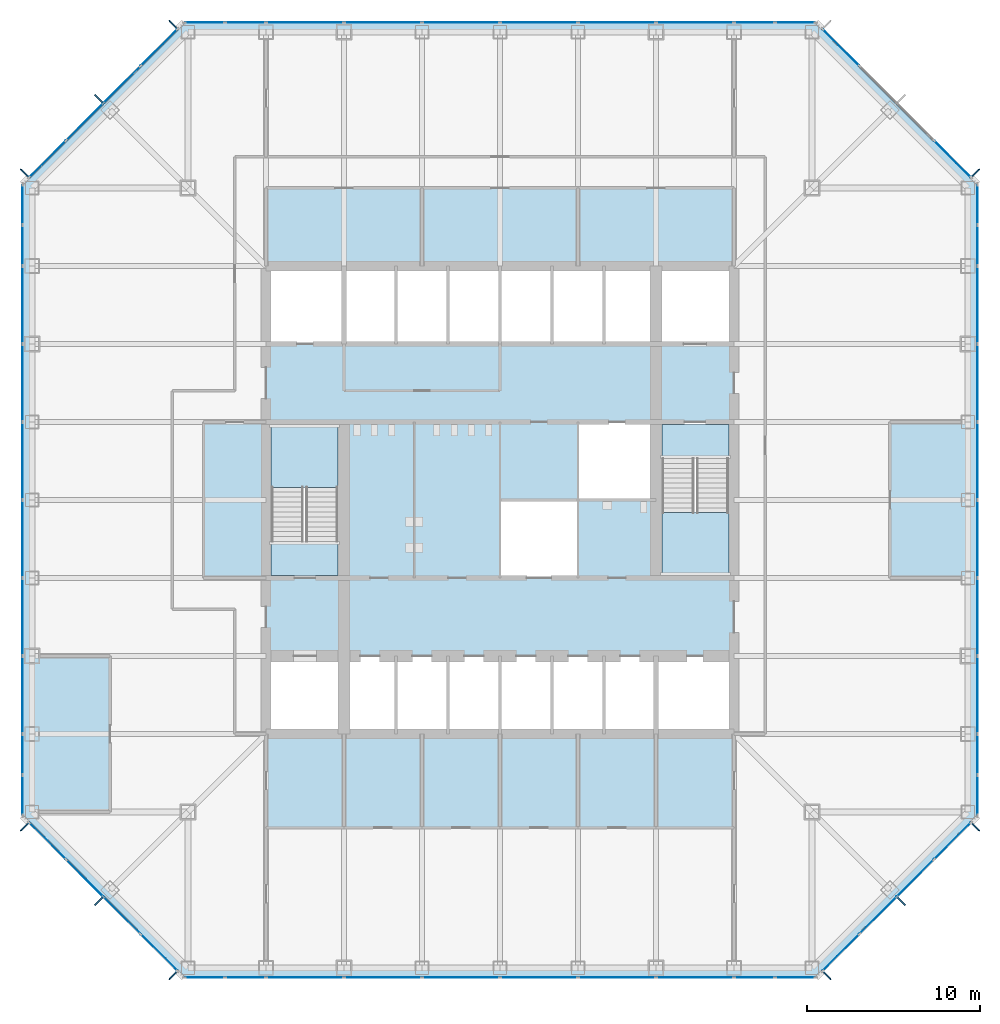
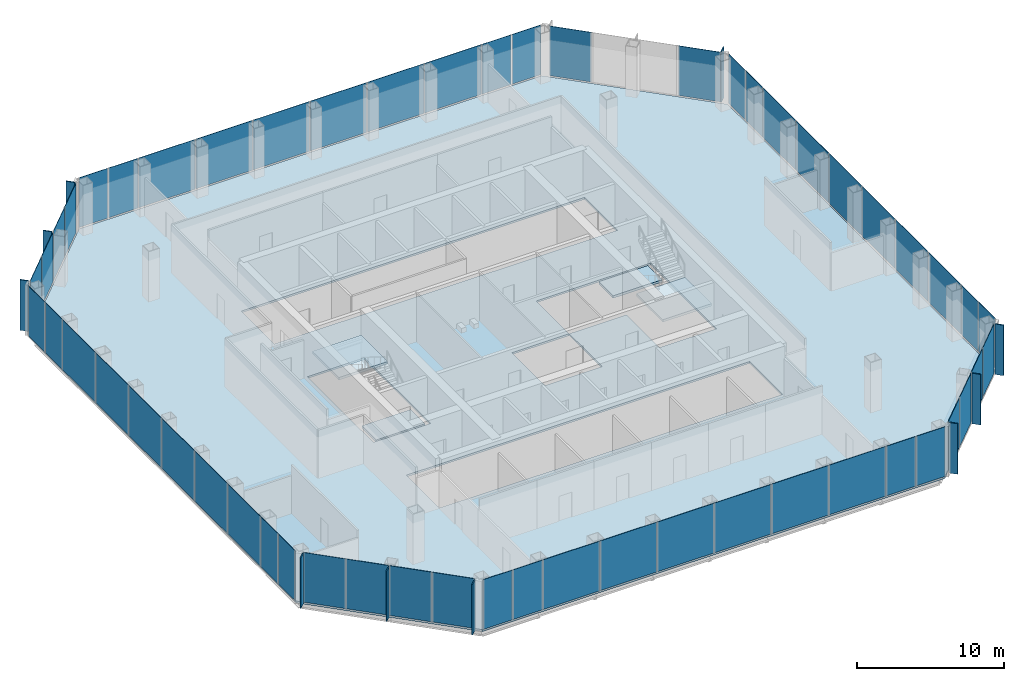
# One storey, part 7 of 12: 64 plates, 5 slabs, 10 elements without a shape of their own.
"""IFC4 building model written with IfcOpenShell, lengths in metres."""

from ifc_helpers import new_model, si_unit, direction, frame, origin, origin_2d, place, context, subcontext, project, spatial, polyline, rectangle, outline, extrude, material, layer, layer_set, type_object, element, aggregate, save


model = new_model("IFC4")

# Units and contexts
model_context = context("Model", 3, precision=1e-05, world=origin(), true_north=direction((0.0, 1.0)))
body_context = subcontext(model_context, "Body", "Model", "MODEL_VIEW")
ifc_project = project(units=[si_unit("LENGTHUNIT", "METRE"), si_unit("AREAUNIT", "SQUARE_METRE"), si_unit("VOLUMEUNIT", "CUBIC_METRE"), si_unit("PLANEANGLEUNIT", "RADIAN"), si_unit("MASSUNIT", "GRAM", prefix="KILO")], contexts=[model_context])

# Site, building, storey
site_placement = place(None, origin())
site = spatial("IfcSite", under=ifc_project, at=site_placement, CompositionType="ELEMENT")
building_placement = place(site_placement, origin())
building = spatial("IfcBuilding", under=site, at=building_placement, Name="Corais Broadcast Tower", CompositionType="ELEMENT")
storey_placement = place(building_placement, frame((0.0, 0.0, 58.39990234375)))
storey = spatial("IfcBuildingStorey", under=building, at=storey_placement, Name="L12", CompositionType="ELEMENT", Elevation=58.39990234375)

# Slab
ifc_material_1 = material(Name="Concrete C30/37", Category="concrete")
ifc_layer_1 = layer(ifc_material_1, 0.159912109375)
ifc_layer_set_1 = layer_set([ifc_layer_1], Name="Concrete C30/37")
slab_type_1 = type_object("IfcSlabType", Name="Composite floor slab 160", PredefinedType="FLOOR", material=ifc_layer_set_1)
slab_1_placement = place(storey_placement, frame((0.0, 0.0, -0.159912109375)))
element("IfcSlab", 1, at=slab_1_placement, inside=storey, type_object=slab_type_1, Name="S160 floor slab L12", PredefinedType="FLOOR", context=body_context, shape_type="SweptSolid", body=[
    extrude(outline(polyline([(8.80126953125, -0.47998046875), (-0.47998046875, 8.80126953125), (-0.47998046875, 45.19873046875), (8.80126953125, 54.47998046875), (45.19873046875, 54.47998046875), (54.47998046875, 45.19873046875), (54.47998046875, 8.80126953125), (45.19873046875, -0.47998046875), (8.80126953125, -0.47998046875)]), holes=[polyline([(13.5, 18.0), (40.5, 18.0), (40.5, 13.5), (13.5, 13.5), (13.5, 18.0)]), polyline([(13.5, 22.5), (13.5, 31.5), (18.0, 31.5), (18.0, 22.5), (13.5, 22.5)]), polyline([(13.5, 40.5), (40.5, 40.5), (40.5, 36.0), (13.5, 36.0), (13.5, 40.5)]), polyline([(27.0, 22.5), (27.0, 27.0), (31.4951171875, 27.0), (31.4951171875, 27.0048828125), (31.5, 27.0048828125), (31.5, 31.5), (40.5, 31.5), (40.5, 22.5), (36.0, 22.5), (36.0, 27.0), (31.5048828125, 27.0), (31.5048828125, 26.9951171875), (31.5, 26.9951171875), (31.5, 22.5), (27.0, 22.5)])]), origin(), (0.0, 0.0, 1.0), 0.159912109375),
])

# Curtain wall, plates
ifc_material_2 = material(Name="Aluminium and glass", Category="aluminium")
curtain_wall_type = type_object("IfcCurtainWallType", Name="Unitised fritted curtain wall CW1", PredefinedType="NOTDEFINED", material=ifc_material_2)
curtain_wall_1_placement = place(storey_placement, origin())
curtain_wall_1 = element("IfcCurtainWall", 2, at=curtain_wall_1_placement, inside=storey, type_object=curtain_wall_type, Name="CW1 curtain wall L12 1", PredefinedType="NOTDEFINED")
ifc_material_3 = material(Name="Ceramic-fritted laminated glass", Category="glass")
ifc_layer_2 = layer(ifc_material_3, 0.030029296875)
ifc_layer_set_2 = layer_set([ifc_layer_2], Name="Ceramic-fritted laminated glass")
plate_type_1 = type_object("IfcPlateType", Name="Fritted glass panel CW1", PredefinedType="CURTAIN_PANEL", material=ifc_layer_set_2)
plate_1_placement = place(storey_placement, frame((7.330322265625, 0.891845703125, 0.06494140625), z_axis=(0.0, 0.0, 1.0), x_axis=(-0.707106781187, 0.707106781187, 0.0)))
plate_1 = element("IfcPlate", 3, at=plate_1_placement, type_object=plate_type_1, Name="CW1 panel 1", PredefinedType="CURTAIN_PANEL", context=body_context, shape_type="SweptSolid", body=[
    extrude(rectangle(XDim=2.9482421875, YDim=0.030029296875, at=origin_2d()), origin(), (0.0, 0.0, 1.0), 4.135009765625),
])
plate_2_placement = place(storey_placement, frame((3.0341796875, 5.18798828125, 0.06494140625), z_axis=(0.0, 0.0, 1.0), x_axis=(-0.707106781187, 0.707106781187, 0.0)))
plate_2 = element("IfcPlate", 4, at=plate_2_placement, type_object=plate_type_1, Name="CW1 panel 3", PredefinedType="CURTAIN_PANEL", context=body_context, shape_type="SweptSolid", body=[
    extrude(rectangle(XDim=2.98095703125, YDim=0.030029296875, at=origin_2d()), origin(), (0.0, 0.0, 1.0), 4.135009765625),
])

curtain_wall_2_placement = place(storey_placement, origin())
curtain_wall_2 = element("IfcCurtainWall", 5, at=curtain_wall_2_placement, inside=storey, type_object=curtain_wall_type, Name="CW1 curtain wall L12 2", PredefinedType="NOTDEFINED")
plate_3_placement = place(storey_placement, frame((-0.550048828125, 9.970458984375, 0.06494140625), z_axis=(0.0, 0.0, 1.0), x_axis=(0.0, 1.0, 0.0)))
plate_3 = element("IfcPlate", 6, at=plate_3_placement, type_object=plate_type_1, Name="CW1 panel 1", PredefinedType="CURTAIN_PANEL", context=body_context, shape_type="SweptSolid", body=[
    extrude(rectangle(XDim=2.266357421875, YDim=0.030029296875, at=origin_2d()), origin(), (0.0, 0.0, 1.0), 4.135009765625),
])
plate_4_placement = place(storey_placement, frame((-0.550048828125, 15.75, 0.06494140625), z_axis=(0.0, 0.0, 1.0), x_axis=(0.0, 1.0, 0.0)))
plate_4 = element("IfcPlate", 7, at=plate_4_placement, type_object=plate_type_1, Name="CW1 panel 3", PredefinedType="CURTAIN_PANEL", context=body_context, shape_type="SweptSolid", body=[
    extrude(rectangle(XDim=4.43505859375, YDim=0.030029296875, at=origin_2d()), origin(), (0.0, 0.0, 1.0), 4.135009765625),
])
plate_5_placement = place(storey_placement, frame((-0.550048828125, 24.75, 0.06494140625), z_axis=(0.0, 0.0, 1.0), x_axis=(0.0, 1.0, 0.0)))
plate_5 = element("IfcPlate", 8, at=plate_5_placement, type_object=plate_type_1, Name="CW1 panel 5", PredefinedType="CURTAIN_PANEL", context=body_context, shape_type="SweptSolid", body=[
    extrude(rectangle(XDim=4.43505859375, YDim=0.030029296875, at=origin_2d()), origin(), (0.0, 0.0, 1.0), 4.135009765625),
])
plate_6_placement = place(storey_placement, frame((-0.550048828125, 33.75, 0.06494140625), z_axis=(0.0, 0.0, 1.0), x_axis=(0.0, 1.0, 0.0)))
plate_6 = element("IfcPlate", 9, at=plate_6_placement, type_object=plate_type_1, Name="CW1 panel 7", PredefinedType="CURTAIN_PANEL", context=body_context, shape_type="SweptSolid", body=[
    extrude(rectangle(XDim=4.43505859375, YDim=0.030029296875, at=origin_2d()), origin(), (0.0, 0.0, 1.0), 4.135009765625),
])
plate_7_placement = place(storey_placement, frame((-0.550048828125, 41.681884765625, 0.06494140625), z_axis=(0.0, 0.0, 1.0), x_axis=(0.0, 1.0, 0.0)))
plate_7 = element("IfcPlate", 10, at=plate_7_placement, type_object=plate_type_1, Name="CW1 panel 9", PredefinedType="CURTAIN_PANEL", context=body_context, shape_type="SweptSolid", body=[
    extrude(rectangle(XDim=2.298828125, YDim=0.030029296875, at=origin_2d()), origin(), (0.0, 0.0, 1.0), 4.135009765625),
])

curtain_wall_3_placement = place(storey_placement, origin())
curtain_wall_3 = element("IfcCurtainWall", 11, at=curtain_wall_3_placement, inside=storey, type_object=curtain_wall_type, Name="CW1 curtain wall L12 3", PredefinedType="NOTDEFINED")
plate_8_placement = place(storey_placement, frame((0.891845703125, 46.669677734375, 0.06494140625), z_axis=(0.0, 0.0, 1.0), x_axis=(0.707106781187, 0.707106781187, 0.0)))
plate_8 = element("IfcPlate", 12, at=plate_8_placement, type_object=plate_type_1, Name="CW1 panel 1", PredefinedType="CURTAIN_PANEL", context=body_context, shape_type="SweptSolid", body=[
    extrude(rectangle(XDim=2.9482421875, YDim=0.030029296875, at=origin_2d()), origin(), (0.0, 0.0, 1.0), 4.135009765625),
])
plate_9_placement = place(storey_placement, frame((5.18798828125, 50.9658203125, 0.06494140625), z_axis=(0.0, 0.0, 1.0), x_axis=(0.707106781187, 0.707106781187, 0.0)))
plate_9 = element("IfcPlate", 13, at=plate_9_placement, type_object=plate_type_1, Name="CW1 panel 3", PredefinedType="CURTAIN_PANEL", context=body_context, shape_type="SweptSolid", body=[
    extrude(rectangle(XDim=2.98095703125, YDim=0.030029296875, at=origin_2d()), origin(), (0.0, 0.0, 1.0), 4.135009765625),
])

curtain_wall_4_placement = place(storey_placement, origin())
curtain_wall_4 = element("IfcCurtainWall", 14, at=curtain_wall_4_placement, inside=storey, type_object=curtain_wall_type, Name="CW1 curtain wall L12 4", PredefinedType="NOTDEFINED")
plate_10_placement = place(storey_placement, frame((9.970458984375, 54.550048828125, 0.06494140625), z_axis=(0.0, 0.0, 1.0), x_axis=(1.0, 0.0, 0.0)))
plate_10 = element("IfcPlate", 15, at=plate_10_placement, type_object=plate_type_1, Name="CW1 panel 1", PredefinedType="CURTAIN_PANEL", context=body_context, shape_type="SweptSolid", body=[
    extrude(rectangle(XDim=2.266357421875, YDim=0.030029296875, at=origin_2d()), origin(), (0.0, 0.0, 1.0), 4.135009765625),
])
plate_11_placement = place(storey_placement, frame((15.75, 54.550048828125, 0.06494140625), z_axis=(0.0, 0.0, 1.0), x_axis=(1.0, 0.0, 0.0)))
plate_11 = element("IfcPlate", 16, at=plate_11_placement, type_object=plate_type_1, Name="CW1 panel 3", PredefinedType="CURTAIN_PANEL", context=body_context, shape_type="SweptSolid", body=[
    extrude(rectangle(XDim=4.43505859375, YDim=0.030029296875, at=origin_2d()), origin(), (0.0, 0.0, 1.0), 4.135009765625),
])
plate_12_placement = place(storey_placement, frame((24.75, 54.550048828125, 0.06494140625), z_axis=(0.0, 0.0, 1.0), x_axis=(1.0, 0.0, 0.0)))
plate_12 = element("IfcPlate", 17, at=plate_12_placement, type_object=plate_type_1, Name="CW1 panel 5", PredefinedType="CURTAIN_PANEL", context=body_context, shape_type="SweptSolid", body=[
    extrude(rectangle(XDim=4.43505859375, YDim=0.030029296875, at=origin_2d()), origin(), (0.0, 0.0, 1.0), 4.135009765625),
])
plate_13_placement = place(storey_placement, frame((33.75, 54.550048828125, 0.06494140625), z_axis=(0.0, 0.0, 1.0), x_axis=(1.0, 0.0, 0.0)))
plate_13 = element("IfcPlate", 18, at=plate_13_placement, type_object=plate_type_1, Name="CW1 panel 7", PredefinedType="CURTAIN_PANEL", context=body_context, shape_type="SweptSolid", body=[
    extrude(rectangle(XDim=4.43505859375, YDim=0.030029296875, at=origin_2d()), origin(), (0.0, 0.0, 1.0), 4.135009765625),
])
plate_14_placement = place(storey_placement, frame((41.681884765625, 54.550048828125, 0.06494140625), z_axis=(0.0, 0.0, 1.0), x_axis=(1.0, 0.0, 0.0)))
plate_14 = element("IfcPlate", 19, at=plate_14_placement, type_object=plate_type_1, Name="CW1 panel 9", PredefinedType="CURTAIN_PANEL", context=body_context, shape_type="SweptSolid", body=[
    extrude(rectangle(XDim=2.298828125, YDim=0.030029296875, at=origin_2d()), origin(), (0.0, 0.0, 1.0), 4.135009765625),
])

# Curtain wall, plate
curtain_wall_5_placement = place(storey_placement, origin())
curtain_wall_5 = element("IfcCurtainWall", 20, at=curtain_wall_5_placement, inside=storey, type_object=curtain_wall_type, Name="CW1 curtain wall L12 5", PredefinedType="NOTDEFINED")
plate_15_placement = place(storey_placement, frame((46.669677734375, 53.108154296875, 0.06494140625), z_axis=(0.0, 0.0, 1.0), x_axis=(0.707106781187, -0.707106781187, 0.0)))
plate_15 = element("IfcPlate", 21, at=plate_15_placement, type_object=plate_type_1, Name="CW1 panel 1", PredefinedType="CURTAIN_PANEL", context=body_context, shape_type="SweptSolid", body=[
    extrude(rectangle(XDim=2.9482421875, YDim=0.030029296875, at=origin_2d()), origin(), (0.0, 0.0, 1.0), 4.135009765625),
])

# Curtain wall, plates
curtain_wall_6_placement = place(storey_placement, origin())
curtain_wall_6 = element("IfcCurtainWall", 22, at=curtain_wall_6_placement, inside=storey, type_object=curtain_wall_type, Name="CW1 curtain wall L12 6", PredefinedType="NOTDEFINED")
plate_16_placement = place(storey_placement, frame((54.550048828125, 44.029541015625, 0.06494140625), z_axis=(0.0, 0.0, 1.0), x_axis=(0.0, -1.0, 0.0)))
plate_16 = element("IfcPlate", 23, at=plate_16_placement, type_object=plate_type_1, Name="CW1 panel 1", PredefinedType="CURTAIN_PANEL", context=body_context, shape_type="SweptSolid", body=[
    extrude(rectangle(XDim=2.266357421875, YDim=0.030029296875, at=origin_2d()), origin(), (0.0, 0.0, 1.0), 4.135009765625),
])
plate_17_placement = place(storey_placement, frame((54.550048828125, 38.25, 0.06494140625), z_axis=(0.0, 0.0, 1.0), x_axis=(0.0, -1.0, 0.0)))
plate_17 = element("IfcPlate", 24, at=plate_17_placement, type_object=plate_type_1, Name="CW1 panel 3", PredefinedType="CURTAIN_PANEL", context=body_context, shape_type="SweptSolid", body=[
    extrude(rectangle(XDim=4.43505859375, YDim=0.030029296875, at=origin_2d()), origin(), (0.0, 0.0, 1.0), 4.135009765625),
])
plate_18_placement = place(storey_placement, frame((54.550048828125, 29.25, 0.06494140625), z_axis=(0.0, 0.0, 1.0), x_axis=(0.0, -1.0, 0.0)))
plate_18 = element("IfcPlate", 25, at=plate_18_placement, type_object=plate_type_1, Name="CW1 panel 5", PredefinedType="CURTAIN_PANEL", context=body_context, shape_type="SweptSolid", body=[
    extrude(rectangle(XDim=4.43505859375, YDim=0.030029296875, at=origin_2d()), origin(), (0.0, 0.0, 1.0), 4.135009765625),
])
plate_19_placement = place(storey_placement, frame((54.550048828125, 20.25, 0.06494140625), z_axis=(0.0, 0.0, 1.0), x_axis=(0.0, -1.0, 0.0)))
plate_19 = element("IfcPlate", 26, at=plate_19_placement, type_object=plate_type_1, Name="CW1 panel 7", PredefinedType="CURTAIN_PANEL", context=body_context, shape_type="SweptSolid", body=[
    extrude(rectangle(XDim=4.43505859375, YDim=0.030029296875, at=origin_2d()), origin(), (0.0, 0.0, 1.0), 4.135009765625),
])
plate_20_placement = place(storey_placement, frame((54.550048828125, 12.318115234375, 0.06494140625), z_axis=(0.0, 0.0, 1.0), x_axis=(0.0, -1.0, 0.0)))
plate_20 = element("IfcPlate", 27, at=plate_20_placement, type_object=plate_type_1, Name="CW1 panel 9", PredefinedType="CURTAIN_PANEL", context=body_context, shape_type="SweptSolid", body=[
    extrude(rectangle(XDim=2.298828125, YDim=0.030029296875, at=origin_2d()), origin(), (0.0, 0.0, 1.0), 4.135009765625),
])

curtain_wall_7_placement = place(storey_placement, origin())
curtain_wall_7 = element("IfcCurtainWall", 28, at=curtain_wall_7_placement, inside=storey, type_object=curtain_wall_type, Name="CW1 curtain wall L12 7", PredefinedType="NOTDEFINED")
plate_21_placement = place(storey_placement, frame((53.108154296875, 7.330322265625, 0.06494140625), z_axis=(0.0, 0.0, 1.0), x_axis=(-0.707106781187, -0.707106781187, 0.0)))
plate_21 = element("IfcPlate", 29, at=plate_21_placement, type_object=plate_type_1, Name="CW1 panel 1", PredefinedType="CURTAIN_PANEL", context=body_context, shape_type="SweptSolid", body=[
    extrude(rectangle(XDim=2.9482421875, YDim=0.030029296875, at=origin_2d()), origin(), (0.0, 0.0, 1.0), 4.135009765625),
])
plate_22_placement = place(storey_placement, frame((48.81201171875, 3.0341796875, 0.06494140625), z_axis=(0.0, 0.0, 1.0), x_axis=(-0.707106781187, -0.707106781187, 0.0)))
plate_22 = element("IfcPlate", 30, at=plate_22_placement, type_object=plate_type_1, Name="CW1 panel 3", PredefinedType="CURTAIN_PANEL", context=body_context, shape_type="SweptSolid", body=[
    extrude(rectangle(XDim=2.98095703125, YDim=0.030029296875, at=origin_2d()), origin(), (0.0, 0.0, 1.0), 4.135009765625),
])

curtain_wall_8_placement = place(storey_placement, origin())
curtain_wall_8 = element("IfcCurtainWall", 31, at=curtain_wall_8_placement, inside=storey, type_object=curtain_wall_type, Name="CW1 curtain wall L12 8", PredefinedType="NOTDEFINED")
plate_23_placement = place(storey_placement, frame((44.029541015625, -0.550048828125, 0.06494140625), z_axis=(0.0, 0.0, 1.0), x_axis=(-1.0, 0.0, 0.0)))
plate_23 = element("IfcPlate", 32, at=plate_23_placement, type_object=plate_type_1, Name="CW1 panel 1", PredefinedType="CURTAIN_PANEL", context=body_context, shape_type="SweptSolid", body=[
    extrude(rectangle(XDim=2.266357421875, YDim=0.030029296875, at=origin_2d()), origin(), (0.0, 0.0, 1.0), 4.135009765625),
])
plate_24_placement = place(storey_placement, frame((38.25, -0.550048828125, 0.06494140625), z_axis=(0.0, 0.0, 1.0), x_axis=(-1.0, 0.0, 0.0)))
plate_24 = element("IfcPlate", 33, at=plate_24_placement, type_object=plate_type_1, Name="CW1 panel 3", PredefinedType="CURTAIN_PANEL", context=body_context, shape_type="SweptSolid", body=[
    extrude(rectangle(XDim=4.43505859375, YDim=0.030029296875, at=origin_2d()), origin(), (0.0, 0.0, 1.0), 4.135009765625),
])
plate_25_placement = place(storey_placement, frame((29.25, -0.550048828125, 0.06494140625), z_axis=(0.0, 0.0, 1.0), x_axis=(-1.0, 0.0, 0.0)))
plate_25 = element("IfcPlate", 34, at=plate_25_placement, type_object=plate_type_1, Name="CW1 panel 5", PredefinedType="CURTAIN_PANEL", context=body_context, shape_type="SweptSolid", body=[
    extrude(rectangle(XDim=4.43505859375, YDim=0.030029296875, at=origin_2d()), origin(), (0.0, 0.0, 1.0), 4.135009765625),
])
plate_26_placement = place(storey_placement, frame((20.25, -0.550048828125, 0.06494140625), z_axis=(0.0, 0.0, 1.0), x_axis=(-1.0, 0.0, 0.0)))
plate_26 = element("IfcPlate", 35, at=plate_26_placement, type_object=plate_type_1, Name="CW1 panel 7", PredefinedType="CURTAIN_PANEL", context=body_context, shape_type="SweptSolid", body=[
    extrude(rectangle(XDim=4.43505859375, YDim=0.030029296875, at=origin_2d()), origin(), (0.0, 0.0, 1.0), 4.135009765625),
])
plate_27_placement = place(storey_placement, frame((12.318115234375, -0.550048828125, 0.06494140625), z_axis=(0.0, 0.0, 1.0), x_axis=(-1.0, 0.0, 0.0)))
plate_27 = element("IfcPlate", 36, at=plate_27_placement, type_object=plate_type_1, Name="CW1 panel 9", PredefinedType="CURTAIN_PANEL", context=body_context, shape_type="SweptSolid", body=[
    extrude(rectangle(XDim=2.298828125, YDim=0.030029296875, at=origin_2d()), origin(), (0.0, 0.0, 1.0), 4.135009765625),
])

# Plate
ifc_material_4 = material(Name="Clear laminated glass", Category="glass")
ifc_layer_3 = layer(ifc_material_4, 0.033935546875)
ifc_layer_set_3 = layer_set([ifc_layer_3], Name="Clear laminated glass")
plate_type_2 = type_object("IfcPlateType", Name="Operable glass panel CW1", PredefinedType="CURTAIN_PANEL", material=ifc_layer_set_3)
plate_28_placement = place(storey_placement, frame((5.18798828125, 3.0341796875, 0.06494140625), z_axis=(0.0, 0.0, 1.0), x_axis=(-0.707106781187, 0.707106781187, 0.0)))
plate_28 = element("IfcPlate", 37, at=plate_28_placement, type_object=plate_type_2, Name="CW1 operable panel 2", PredefinedType="CURTAIN_PANEL", context=body_context, shape_type="SweptSolid", body=[
    extrude(rectangle(XDim=2.98095703125, YDim=0.033935546875, at=origin_2d()), origin(), (0.0, 0.0, 1.0), 4.135009765625),
])

plate_29_placement = place(storey_placement, frame((0.89208984375, 7.330322265625, 0.06494140625), z_axis=(0.0, 0.0, 1.0), x_axis=(-0.707106781187, 0.707106781187, 0.0)))
plate_29 = element("IfcPlate", 38, at=plate_29_placement, type_object=plate_type_2, Name="CW1 operable panel 4", PredefinedType="CURTAIN_PANEL", context=body_context, shape_type="SweptSolid", body=[
    extrude(rectangle(XDim=2.948486328125, YDim=0.033935546875, at=origin_2d()), origin(), (0.0, 0.0, 1.0), 4.135009765625),
])

aggregate(curtain_wall_1, [plate_1, plate_28, plate_2, plate_29])

plate_30_placement = place(storey_placement, frame((-0.550048828125, 12.318115234375, 0.06494140625), z_axis=(0.0, 0.0, 1.0), x_axis=(0.0, 1.0, 0.0)))
plate_30 = element("IfcPlate", 39, at=plate_30_placement, type_object=plate_type_2, Name="CW1 operable panel 2", PredefinedType="CURTAIN_PANEL", context=body_context, shape_type="SweptSolid", body=[
    extrude(rectangle(XDim=2.298828125, YDim=0.033935546875, at=origin_2d()), origin(), (0.0, 0.0, 1.0), 4.135009765625),
])

plate_31_placement = place(storey_placement, frame((-0.550048828125, 20.25, 0.06494140625), z_axis=(0.0, 0.0, 1.0), x_axis=(0.0, 1.0, 0.0)))
plate_31 = element("IfcPlate", 40, at=plate_31_placement, type_object=plate_type_2, Name="CW1 operable panel 4", PredefinedType="CURTAIN_PANEL", context=body_context, shape_type="SweptSolid", body=[
    extrude(rectangle(XDim=4.43505859375, YDim=0.033935546875, at=origin_2d()), origin(), (0.0, 0.0, 1.0), 4.135009765625),
])

plate_32_placement = place(storey_placement, frame((-0.550048828125, 29.25, 0.06494140625), z_axis=(0.0, 0.0, 1.0), x_axis=(0.0, 1.0, 0.0)))
plate_32 = element("IfcPlate", 41, at=plate_32_placement, type_object=plate_type_2, Name="CW1 operable panel 6", PredefinedType="CURTAIN_PANEL", context=body_context, shape_type="SweptSolid", body=[
    extrude(rectangle(XDim=4.43505859375, YDim=0.033935546875, at=origin_2d()), origin(), (0.0, 0.0, 1.0), 4.135009765625),
])

plate_33_placement = place(storey_placement, frame((-0.550048828125, 38.25, 0.06494140625), z_axis=(0.0, 0.0, 1.0), x_axis=(0.0, 1.0, 0.0)))
plate_33 = element("IfcPlate", 42, at=plate_33_placement, type_object=plate_type_2, Name="CW1 operable panel 8", PredefinedType="CURTAIN_PANEL", context=body_context, shape_type="SweptSolid", body=[
    extrude(rectangle(XDim=4.43505859375, YDim=0.033935546875, at=origin_2d()), origin(), (0.0, 0.0, 1.0), 4.135009765625),
])

plate_34_placement = place(storey_placement, frame((-0.550048828125, 44.029541015625, 0.06494140625), z_axis=(0.0, 0.0, 1.0), x_axis=(0.0, 1.0, 0.0)))
plate_34 = element("IfcPlate", 43, at=plate_34_placement, type_object=plate_type_2, Name="CW1 operable panel 10", PredefinedType="CURTAIN_PANEL", context=body_context, shape_type="SweptSolid", body=[
    extrude(rectangle(XDim=2.266357421875, YDim=0.033935546875, at=origin_2d()), origin(), (0.0, 0.0, 1.0), 4.135009765625),
])

aggregate(curtain_wall_2, [plate_3, plate_30, plate_4, plate_31, plate_5, plate_32, plate_6, plate_33, plate_7, plate_34])

plate_35_placement = place(storey_placement, frame((3.0341796875, 48.81201171875, 0.06494140625), z_axis=(0.0, 0.0, 1.0), x_axis=(0.707106781187, 0.707106781187, 0.0)))
plate_35 = element("IfcPlate", 44, at=plate_35_placement, type_object=plate_type_2, Name="CW1 operable panel 2", PredefinedType="CURTAIN_PANEL", context=body_context, shape_type="SweptSolid", body=[
    extrude(rectangle(XDim=2.98095703125, YDim=0.033935546875, at=origin_2d()), origin(), (0.0, 0.0, 1.0), 4.135009765625),
])

plate_36_placement = place(storey_placement, frame((7.330322265625, 53.10791015625, 0.06494140625), z_axis=(0.0, 0.0, 1.0), x_axis=(0.707106781187, 0.707106781187, 0.0)))
plate_36 = element("IfcPlate", 45, at=plate_36_placement, type_object=plate_type_2, Name="CW1 operable panel 4", PredefinedType="CURTAIN_PANEL", context=body_context, shape_type="SweptSolid", body=[
    extrude(rectangle(XDim=2.948486328125, YDim=0.033935546875, at=origin_2d()), origin(), (0.0, 0.0, 1.0), 4.135009765625),
])

aggregate(curtain_wall_3, [plate_8, plate_35, plate_9, plate_36])

plate_37_placement = place(storey_placement, frame((12.318115234375, 54.550048828125, 0.06494140625), z_axis=(0.0, 0.0, 1.0), x_axis=(1.0, 0.0, 0.0)))
plate_37 = element("IfcPlate", 46, at=plate_37_placement, type_object=plate_type_2, Name="CW1 operable panel 2", PredefinedType="CURTAIN_PANEL", context=body_context, shape_type="SweptSolid", body=[
    extrude(rectangle(XDim=2.298828125, YDim=0.033935546875, at=origin_2d()), origin(), (0.0, 0.0, 1.0), 4.135009765625),
])

plate_38_placement = place(storey_placement, frame((20.25, 54.550048828125, 0.06494140625), z_axis=(0.0, 0.0, 1.0), x_axis=(1.0, 0.0, 0.0)))
plate_38 = element("IfcPlate", 47, at=plate_38_placement, type_object=plate_type_2, Name="CW1 operable panel 4", PredefinedType="CURTAIN_PANEL", context=body_context, shape_type="SweptSolid", body=[
    extrude(rectangle(XDim=4.43505859375, YDim=0.033935546875, at=origin_2d()), origin(), (0.0, 0.0, 1.0), 4.135009765625),
])

plate_39_placement = place(storey_placement, frame((29.25, 54.550048828125, 0.06494140625), z_axis=(0.0, 0.0, 1.0), x_axis=(1.0, 0.0, 0.0)))
plate_39 = element("IfcPlate", 48, at=plate_39_placement, type_object=plate_type_2, Name="CW1 operable panel 6", PredefinedType="CURTAIN_PANEL", context=body_context, shape_type="SweptSolid", body=[
    extrude(rectangle(XDim=4.43505859375, YDim=0.033935546875, at=origin_2d()), origin(), (0.0, 0.0, 1.0), 4.135009765625),
])

plate_40_placement = place(storey_placement, frame((38.25, 54.550048828125, 0.06494140625), z_axis=(0.0, 0.0, 1.0), x_axis=(1.0, 0.0, 0.0)))
plate_40 = element("IfcPlate", 49, at=plate_40_placement, type_object=plate_type_2, Name="CW1 operable panel 8", PredefinedType="CURTAIN_PANEL", context=body_context, shape_type="SweptSolid", body=[
    extrude(rectangle(XDim=4.43505859375, YDim=0.033935546875, at=origin_2d()), origin(), (0.0, 0.0, 1.0), 4.135009765625),
])

plate_41_placement = place(storey_placement, frame((44.029541015625, 54.550048828125, 0.06494140625), z_axis=(0.0, 0.0, 1.0), x_axis=(1.0, 0.0, 0.0)))
plate_41 = element("IfcPlate", 50, at=plate_41_placement, type_object=plate_type_2, Name="CW1 operable panel 10", PredefinedType="CURTAIN_PANEL", context=body_context, shape_type="SweptSolid", body=[
    extrude(rectangle(XDim=2.266357421875, YDim=0.033935546875, at=origin_2d()), origin(), (0.0, 0.0, 1.0), 4.135009765625),
])

aggregate(curtain_wall_4, [plate_10, plate_37, plate_11, plate_38, plate_12, plate_39, plate_13, plate_40, plate_14, plate_41])

plate_42_placement = place(storey_placement, frame((53.10791015625, 46.669677734375, 0.06494140625), z_axis=(0.0, 0.0, 1.0), x_axis=(0.707106781187, -0.707106781187, 0.0)))
plate_42 = element("IfcPlate", 51, at=plate_42_placement, type_object=plate_type_2, Name="CW1 operable panel 4", PredefinedType="CURTAIN_PANEL", context=body_context, shape_type="SweptSolid", body=[
    extrude(rectangle(XDim=2.948486328125, YDim=0.033935546875, at=origin_2d()), origin(), (0.0, 0.0, 1.0), 4.135009765625),
])

aggregate(curtain_wall_5, [plate_15, plate_42])

plate_43_placement = place(storey_placement, frame((54.550048828125, 41.681884765625, 0.06494140625), z_axis=(0.0, 0.0, 1.0), x_axis=(0.0, -1.0, 0.0)))
plate_43 = element("IfcPlate", 52, at=plate_43_placement, type_object=plate_type_2, Name="CW1 operable panel 2", PredefinedType="CURTAIN_PANEL", context=body_context, shape_type="SweptSolid", body=[
    extrude(rectangle(XDim=2.298828125, YDim=0.033935546875, at=origin_2d()), origin(), (0.0, 0.0, 1.0), 4.135009765625),
])

plate_44_placement = place(storey_placement, frame((54.550048828125, 33.75, 0.06494140625), z_axis=(0.0, 0.0, 1.0), x_axis=(0.0, -1.0, 0.0)))
plate_44 = element("IfcPlate", 53, at=plate_44_placement, type_object=plate_type_2, Name="CW1 operable panel 4", PredefinedType="CURTAIN_PANEL", context=body_context, shape_type="SweptSolid", body=[
    extrude(rectangle(XDim=4.43505859375, YDim=0.033935546875, at=origin_2d()), origin(), (0.0, 0.0, 1.0), 4.135009765625),
])

plate_45_placement = place(storey_placement, frame((54.550048828125, 24.75, 0.06494140625), z_axis=(0.0, 0.0, 1.0), x_axis=(0.0, -1.0, 0.0)))
plate_45 = element("IfcPlate", 54, at=plate_45_placement, type_object=plate_type_2, Name="CW1 operable panel 6", PredefinedType="CURTAIN_PANEL", context=body_context, shape_type="SweptSolid", body=[
    extrude(rectangle(XDim=4.43505859375, YDim=0.033935546875, at=origin_2d()), origin(), (0.0, 0.0, 1.0), 4.135009765625),
])

plate_46_placement = place(storey_placement, frame((54.550048828125, 15.75, 0.06494140625), z_axis=(0.0, 0.0, 1.0), x_axis=(0.0, -1.0, 0.0)))
plate_46 = element("IfcPlate", 55, at=plate_46_placement, type_object=plate_type_2, Name="CW1 operable panel 8", PredefinedType="CURTAIN_PANEL", context=body_context, shape_type="SweptSolid", body=[
    extrude(rectangle(XDim=4.43505859375, YDim=0.033935546875, at=origin_2d()), origin(), (0.0, 0.0, 1.0), 4.135009765625),
])

plate_47_placement = place(storey_placement, frame((54.550048828125, 9.970458984375, 0.06494140625), z_axis=(0.0, 0.0, 1.0), x_axis=(0.0, -1.0, 0.0)))
plate_47 = element("IfcPlate", 56, at=plate_47_placement, type_object=plate_type_2, Name="CW1 operable panel 10", PredefinedType="CURTAIN_PANEL", context=body_context, shape_type="SweptSolid", body=[
    extrude(rectangle(XDim=2.266357421875, YDim=0.033935546875, at=origin_2d()), origin(), (0.0, 0.0, 1.0), 4.135009765625),
])

aggregate(curtain_wall_6, [plate_16, plate_43, plate_17, plate_44, plate_18, plate_45, plate_19, plate_46, plate_20, plate_47])

plate_48_placement = place(storey_placement, frame((50.9658203125, 5.18798828125, 0.06494140625), z_axis=(0.0, 0.0, 1.0), x_axis=(-0.707106781187, -0.707106781187, 0.0)))
plate_48 = element("IfcPlate", 57, at=plate_48_placement, type_object=plate_type_2, Name="CW1 operable panel 2", PredefinedType="CURTAIN_PANEL", context=body_context, shape_type="SweptSolid", body=[
    extrude(rectangle(XDim=2.98095703125, YDim=0.033935546875, at=origin_2d()), origin(), (0.0, 0.0, 1.0), 4.135009765625),
])

plate_49_placement = place(storey_placement, frame((46.669677734375, 0.89208984375, 0.06494140625), z_axis=(0.0, 0.0, 1.0), x_axis=(-0.707106781187, -0.707106781187, 0.0)))
plate_49 = element("IfcPlate", 58, at=plate_49_placement, type_object=plate_type_2, Name="CW1 operable panel 4", PredefinedType="CURTAIN_PANEL", context=body_context, shape_type="SweptSolid", body=[
    extrude(rectangle(XDim=2.948486328125, YDim=0.033935546875, at=origin_2d()), origin(), (0.0, 0.0, 1.0), 4.135009765625),
])

aggregate(curtain_wall_7, [plate_21, plate_48, plate_22, plate_49])

plate_50_placement = place(storey_placement, frame((41.681884765625, -0.550048828125, 0.06494140625), z_axis=(0.0, 0.0, 1.0), x_axis=(-1.0, 0.0, 0.0)))
plate_50 = element("IfcPlate", 59, at=plate_50_placement, type_object=plate_type_2, Name="CW1 operable panel 2", PredefinedType="CURTAIN_PANEL", context=body_context, shape_type="SweptSolid", body=[
    extrude(rectangle(XDim=2.298828125, YDim=0.033935546875, at=origin_2d()), origin(), (0.0, 0.0, 1.0), 4.135009765625),
])

plate_51_placement = place(storey_placement, frame((33.75, -0.550048828125, 0.06494140625), z_axis=(0.0, 0.0, 1.0), x_axis=(-1.0, 0.0, 0.0)))
plate_51 = element("IfcPlate", 60, at=plate_51_placement, type_object=plate_type_2, Name="CW1 operable panel 4", PredefinedType="CURTAIN_PANEL", context=body_context, shape_type="SweptSolid", body=[
    extrude(rectangle(XDim=4.43505859375, YDim=0.033935546875, at=origin_2d()), origin(), (0.0, 0.0, 1.0), 4.135009765625),
])

plate_52_placement = place(storey_placement, frame((24.75, -0.550048828125, 0.06494140625), z_axis=(0.0, 0.0, 1.0), x_axis=(-1.0, 0.0, 0.0)))
plate_52 = element("IfcPlate", 61, at=plate_52_placement, type_object=plate_type_2, Name="CW1 operable panel 6", PredefinedType="CURTAIN_PANEL", context=body_context, shape_type="SweptSolid", body=[
    extrude(rectangle(XDim=4.43505859375, YDim=0.033935546875, at=origin_2d()), origin(), (0.0, 0.0, 1.0), 4.135009765625),
])

plate_53_placement = place(storey_placement, frame((15.75, -0.550048828125, 0.06494140625), z_axis=(0.0, 0.0, 1.0), x_axis=(-1.0, 0.0, 0.0)))
plate_53 = element("IfcPlate", 62, at=plate_53_placement, type_object=plate_type_2, Name="CW1 operable panel 8", PredefinedType="CURTAIN_PANEL", context=body_context, shape_type="SweptSolid", body=[
    extrude(rectangle(XDim=4.43505859375, YDim=0.033935546875, at=origin_2d()), origin(), (0.0, 0.0, 1.0), 4.135009765625),
])

plate_54_placement = place(storey_placement, frame((9.970458984375, -0.550048828125, 0.06494140625), z_axis=(0.0, 0.0, 1.0), x_axis=(-1.0, 0.0, 0.0)))
plate_54 = element("IfcPlate", 63, at=plate_54_placement, type_object=plate_type_2, Name="CW1 operable panel 10", PredefinedType="CURTAIN_PANEL", context=body_context, shape_type="SweptSolid", body=[
    extrude(rectangle(XDim=2.266357421875, YDim=0.033935546875, at=origin_2d()), origin(), (0.0, 0.0, 1.0), 4.135009765625),
])

aggregate(curtain_wall_8, [plate_23, plate_50, plate_24, plate_51, plate_25, plate_52, plate_26, plate_53, plate_27, plate_54])

# Stair, slabs
ifc_material_5 = material(Name="Concrete C30/37", Category="concrete")
stair_type = type_object("IfcStairType", Name="Half-turn stair 4200", PredefinedType="HALF_TURN_STAIR", material=ifc_material_5)
stair_1_placement = place(storey_placement, origin())
stair_1 = element("IfcStair", 64, at=stair_1_placement, inside=storey, type_object=stair_type, Name="Stair A L12", PredefinedType="HALF_TURN_STAIR")
ifc_material_6 = material(Name="Concrete C30/37", Category="concrete")
ifc_layer_4 = layer(ifc_material_6, 0.199951171875)
ifc_layer_set_4 = layer_set([ifc_layer_4], Name="Concrete C30/37")
slab_type_2 = type_object("IfcSlabType", Name="Stair landing 200", PredefinedType="LANDING", material=ifc_layer_set_4)
slab_2_placement = place(storey_placement, frame((0.0, 0.0, -0.199951171875)))
slab_2 = element("IfcSlab", 65, at=slab_2_placement, type_object=slab_type_2, Name="STA landing 1", PredefinedType="LANDING", context=body_context, shape_type="SweptSolid", body=[
    extrude(outline(polyline([(13.800048828125, 22.64990234375), (17.64990234375, 22.64990234375), (17.64990234375, 24.60009765625), (13.800048828125, 24.60009765625), (13.800048828125, 22.64990234375)])), origin(), (0.0, 0.0, 1.0), 0.199951171875),
])
slab_3_placement = place(storey_placement, frame((0.0, 0.0, 1.900146484375)))
slab_3 = element("IfcSlab", 66, at=slab_3_placement, type_object=slab_type_2, Name="STA landing 2", PredefinedType="LANDING", context=body_context, shape_type="SweptSolid", body=[
    extrude(outline(polyline([(13.800048828125, 27.735107421875), (17.64990234375, 27.735107421875), (17.64990234375, 31.35009765625), (13.800048828125, 31.35009765625), (13.800048828125, 27.735107421875)])), origin(), (0.0, 0.0, 1.0), 0.199951171875),
])
aggregate(stair_1, [slab_2, slab_3])

stair_2_placement = place(storey_placement, origin())
stair_2 = element("IfcStair", 67, at=stair_2_placement, inside=storey, type_object=stair_type, Name="Stair B L12", PredefinedType="HALF_TURN_STAIR")
slab_4_placement = place(storey_placement, frame((0.0, 0.0, -0.199951171875)))
slab_4 = element("IfcSlab", 68, at=slab_4_placement, type_object=slab_type_2, Name="STB landing 1", PredefinedType="LANDING", context=body_context, shape_type="SweptSolid", body=[
    extrude(outline(polyline([(36.35009765625, 29.39990234375), (40.199951171875, 29.39990234375), (40.199951171875, 31.35009765625), (36.35009765625, 31.35009765625), (36.35009765625, 29.39990234375)])), origin(), (0.0, 0.0, 1.0), 0.199951171875),
])
slab_5_placement = place(storey_placement, frame((0.0, 0.0, 1.900146484375)))
slab_5 = element("IfcSlab", 69, at=slab_5_placement, type_object=slab_type_2, Name="STB landing 2", PredefinedType="LANDING", context=body_context, shape_type="SweptSolid", body=[
    extrude(outline(polyline([(36.35009765625, 22.64990234375), (40.199951171875, 22.64990234375), (40.199951171875, 26.264892578125), (36.35009765625, 26.264892578125), (36.35009765625, 22.64990234375)])), origin(), (0.0, 0.0, 1.0), 0.199951171875),
])
aggregate(stair_2, [slab_4, slab_5])

# Plates
ifc_material_7 = material(Name="Granite stone cladding", Category="masonry")
ifc_layer_5 = layer(ifc_material_7, 0.080078125)
ifc_layer_set_5 = layer_set([ifc_layer_5], Name="Granite stone cladding")
plate_type_3 = type_object("IfcPlateType", Name="Stone screen fin 80x600", PredefinedType="USERDEFINED", material=ifc_layer_set_5)
for number, where, z_axis, x_axis, name in (
    (70, (8.114990234375, -0.4541015625, 0.0), (0.0, 0.0, 1.0), (-0.707106781187, 0.707106781187, 0.0), "SF1 stone screen fin L12"),
    (71, (3.830322265625, 3.830322265625, 0.0), (0.0, 0.0, 1.0), (-0.707106781187, 0.707106781187, 0.0), "SF1 stone screen fin L12"),
    (72, (-0.4541015625, 8.114990234375, 0.0), (0.0, 0.0, 1.0), (-0.707106781187, 0.707106781187, 0.0), "SF1 stone screen fin L12"),
    (73, (-0.4541015625, 45.885009765625, 0.0), (0.0, 0.0, 1.0), (0.707106781187, 0.707106781187, 0.0), "SF1 stone screen fin L12"),
    (74, (3.830322265625, 50.169677734375, 0.0), (0.0, 0.0, 1.0), (0.707106781187, 0.707106781187, 0.0), "SF1 stone screen fin L12"),
    (75, (8.114990234375, 54.4541015625, 0.0), (0.0, 0.0, 1.0), (0.707106781187, 0.707106781187, 0.0), "SF1 stone screen fin L12"),
    (76, (54.4541015625, 45.885009765625, 0.0), (0.0, 0.0, 1.0), (0.707106781187, -0.707106781187, 0.0), "SF1 stone screen fin L12"),
    (77, (54.4541015625, 8.114990234375, 0.0), (0.0, 0.0, 1.0), (-0.707106781187, -0.707106781187, 0.0), "SF1 stone screen fin L12"),
    (78, (50.169677734375, 3.830322265625, 0.0), (0.0, 0.0, 1.0), (-0.707106781187, -0.707106781187, 0.0), "SF1 stone screen fin L12"),
    (79, (45.885009765625, -0.4541015625, 0.0), (0.0, 0.0, 1.0), (-0.707106781187, -0.707106781187, 0.0), "SF1 stone screen fin L12"),
):
    element("IfcPlate", number, at=place(storey_placement, frame(where, z_axis=z_axis, x_axis=x_axis)), inside=storey, type_object=plate_type_3, Name=name, ObjectType="STONE SCREEN FIN", PredefinedType="USERDEFINED", context=body_context, shape_type="SweptSolid", body=[
        extrude(rectangle(XDim=0.080078125, YDim=0.60009765625, at=origin_2d()), origin(), (0.0, 0.0, 1.0), 4.199951171875),
    ])

save(model, "model.ifc")
